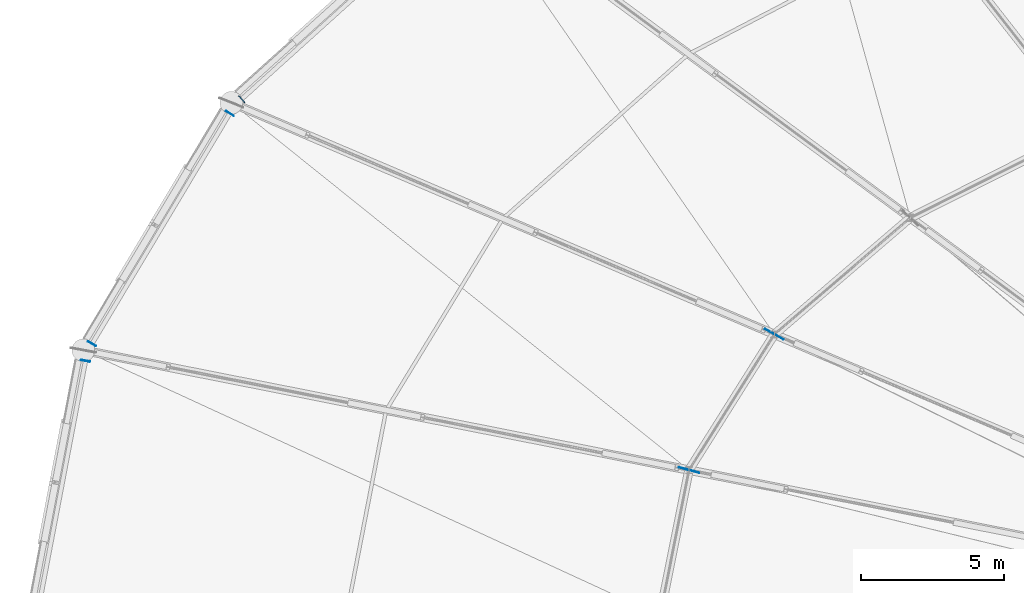
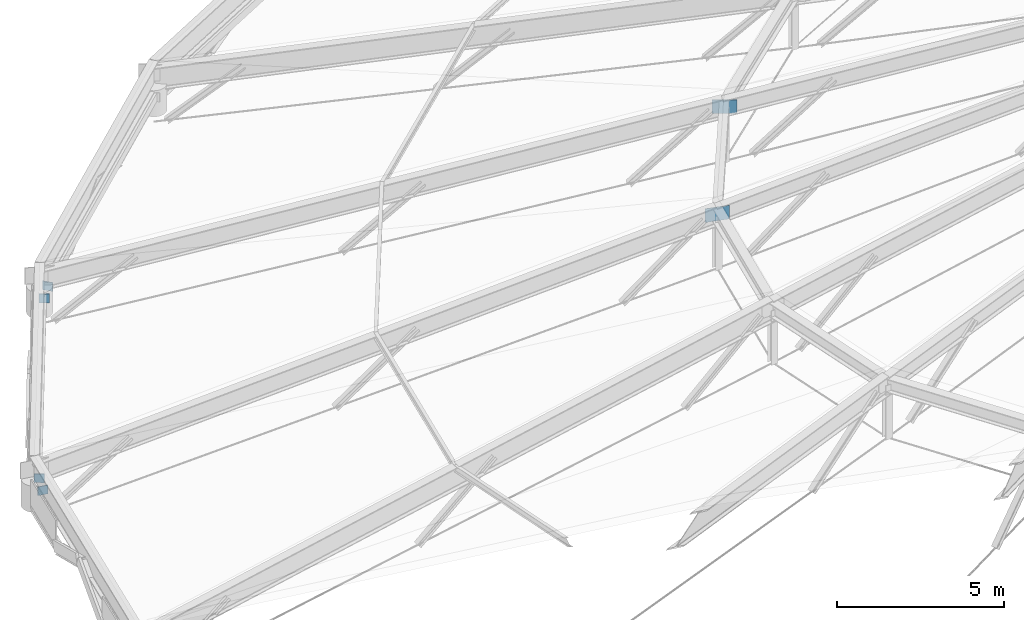
# One storey, part 63 of 83: 6 plates.
"""IFC4 building model written with IfcOpenShell, lengths in metres."""

from ifc_helpers import new_model, si_unit, direction, frame, origin, origin_2d, place, context, subcontext, project, spatial, rectangle, extrude, material, layer, layer_set, type_object, element, save


model = new_model("IFC4")

# Units and contexts
model_context = context("Model", 3, precision=1e-05, world=origin(), true_north=direction((0.0, 1.0)))
body_context = subcontext(model_context, "Body", "Model", "MODEL_VIEW")
ifc_project = project(units=[si_unit("LENGTHUNIT", "METRE"), si_unit("AREAUNIT", "SQUARE_METRE"), si_unit("VOLUMEUNIT", "CUBIC_METRE"), si_unit("PLANEANGLEUNIT", "RADIAN"), si_unit("MASSUNIT", "GRAM", prefix="KILO")], contexts=[model_context])

# Site, building, storey
site_placement = place(None, origin())
site = spatial("IfcSite", under=ifc_project, at=site_placement, CompositionType="ELEMENT")
building_placement = place(site_placement, origin())
building = spatial("IfcBuilding", under=site, at=building_placement, Name="Kivolera Central Railway Station", CompositionType="ELEMENT")
storey_placement = place(building_placement, frame((0.0, 0.0, 14.39990234375)))
storey = spatial("IfcBuildingStorey", under=building, at=storey_placement, Name="L03", CompositionType="ELEMENT", Elevation=14.39990234375)

# Plates
ifc_material = material(Name="Steel S355", Category="steel")
ifc_layer_1 = layer(ifc_material, 0.02490234375, Name="Steel S355")
ifc_layer_set_1 = layer_set([ifc_layer_1], Name="Steel S355")
plate_type_1 = type_object("IfcPlateType", Name="PLT-CAP-320", PredefinedType="SHEET", material=ifc_layer_set_1)
for number, where, z_axis, x_axis, name in (
    (1, (19.324951171875, 108.126953125, 0.735107421875), (-0.742405923756, -0.66995032978, 0.0), (0.66995032978, -0.742405923756, 0.0), "Hollow section end-cap plate NP-CAP1"),
    (2, (18.910888671875, 107.6240234375, 0.735107421875), (-0.513369912177, -0.858167427296, 0.0), (0.858167427296, -0.513369912177, 0.0), "Hollow section end-cap plate NP-CAP1"),
    (3, (14.076904296875, 99.5439453125, 0.735107421875), (-0.513369912177, -0.858167427296, 0.0), (0.858167427296, -0.513369912177, 0.0), "Hollow section end-cap plate NP-CAP1"),
    (4, (13.84912109375, 98.945068359375, 0.735107421875), (-0.18681355608, -0.982395386423, 0.0), (0.982395386423, -0.18681355608, 0.0), "Hollow section end-cap plate NP-CAP1"),
):
    element("IfcPlate", number, at=place(storey_placement, frame(where, z_axis=z_axis, x_axis=x_axis)), inside=storey, type_object=plate_type_1, Name=name, PredefinedType="SHEET", context=body_context, shape_type="SweptSolid", body=[
        extrude(rectangle(XDim=0.320068359375, YDim=0.320068359375, at=origin_2d()), frame((0.0, 0.0, -0.012451171875)), (0.0, 0.0, 1.0), 0.02490234375),
    ])
ifc_layer_2 = layer(ifc_material, 0.02392578125, Name="Steel S355")
ifc_layer_set_2 = layer_set([ifc_layer_2], Name="Steel S355")
plate_type_2 = type_object("IfcPlateType", Name="PLT-GUS-750", PredefinedType="SHEET", material=ifc_layer_set_2)
for number, where, z_axis, x_axis, name in (
    (5, (38.01904296875, 99.875, 5.530029296875), (0.0, 0.0, 1.0), (-0.866025403784, 0.5, 0.0), "Dome Ring Node Gusset Plate R1-11"),
    (6, (35.02197265625, 95.112060546875, 5.530029296875), (0.0, 0.0, 1.0), (-0.965925826289, 0.258819045103, 0.0), "Dome Ring Node Gusset Plate R1-12"),
):
    element("IfcPlate", number, at=place(storey_placement, frame(where, z_axis=z_axis, x_axis=x_axis)), inside=storey, type_object=plate_type_2, Name=name, PredefinedType="SHEET", context=body_context, shape_type="SweptSolid", body=[
        extrude(rectangle(XDim=0.75, YDim=0.02392578125, at=origin_2d()), origin(), (0.0, 0.0, 1.0), 0.5),
    ])

save(model, "model.ifc")
